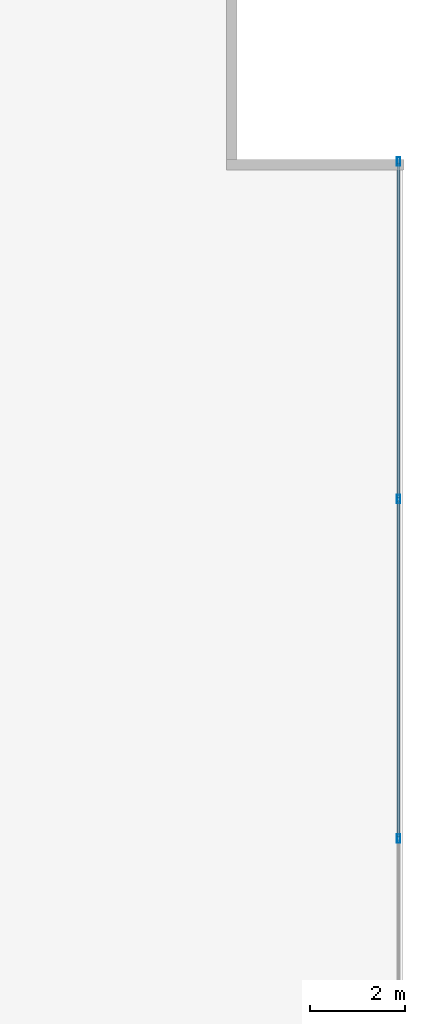
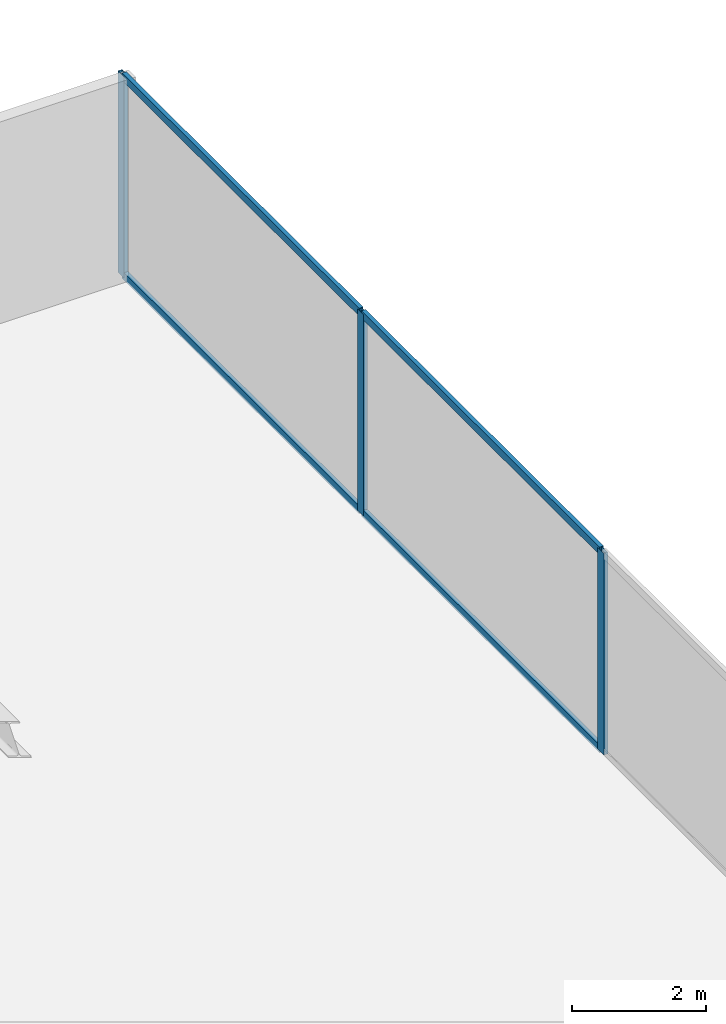
# One storey, part 22 of 28: 7 members, 1 element without a shape of its own.
"""IFC4 building model written with IfcOpenShell, lengths in metres."""

from ifc_helpers import new_model, si_unit, direction, frame, origin, origin_2d, place, context, subcontext, project, spatial, hollow_rectangle, extrude, source, transform, mapped, material, material_profile, profile_set, type_object, type_shapes, element, aggregate, save


model = new_model("IFC4")

# Units and contexts
model_context = context("Model", 3, precision=1e-05, world=origin(), true_north=direction((0.0, 1.0)))
body_context = subcontext(model_context, "Body", "Model", "MODEL_VIEW")
ifc_project = project(units=[si_unit("LENGTHUNIT", "METRE"), si_unit("AREAUNIT", "SQUARE_METRE"), si_unit("VOLUMEUNIT", "CUBIC_METRE"), si_unit("PLANEANGLEUNIT", "RADIAN"), si_unit("MASSUNIT", "GRAM", prefix="KILO")], contexts=[model_context])

# Site, building, storey
site_placement = place(None, origin())
site = spatial("IfcSite", under=ifc_project, at=site_placement, CompositionType="ELEMENT")
building_placement = place(site_placement, origin())
building = spatial("IfcBuilding", under=site, at=building_placement, Name="Krantzveldt Concourse Tower", CompositionType="ELEMENT")
storey_placement = place(building_placement, frame((0.0, 0.0, 28.949951171875)))
storey = spatial("IfcBuildingStorey", under=building, at=storey_placement, Name="L06", CompositionType="ELEMENT", Elevation=28.949951171875)

# Curtain wall, members
ifc_material = material(Name="Anodised aluminium 6063-T6", Category="aluminium")
curtain_wall_type = type_object("IfcCurtainWallType", Name="CW2", PredefinedType="USERDEFINED", material=ifc_material)
curtain_wall_placement = place(storey_placement, origin())
curtain_wall = element("IfcCurtainWall", 1, at=curtain_wall_placement, inside=storey, type_object=curtain_wall_type, Name="CW-L06-F07", ObjectType="UNITISED CURTAIN WALL", PredefinedType="USERDEFINED")
ifc_material_profile_1 = material_profile(ifc_material, hollow_rectangle(XDim=0.070068359375, YDim=0.139892578125, WallThickness=0.0048828125, at=origin_2d()), Name="Anodised aluminium 6063-T6", Category="aluminium")
ifc_profile_set_1 = profile_set([ifc_material_profile_1], Name="Anodised aluminium 6063-T6 - ALU-TRAN 140x70x5")
member_type_1 = type_object("IfcMemberType", Name="CW-TRN-150", PredefinedType="USERDEFINED", material=ifc_profile_set_1)
shared_shape_1 = source(origin(), body_context, "Body", "SweptSolid", [
    extrude(hollow_rectangle(XDim=0.070068359375, YDim=0.139892578125, WallThickness=0.0048828125, at=origin_2d()), origin(), (0.0, 0.0, 1.0), 7.0615234375),
])
member_1_placement = place(storey_placement, frame((60.909912109375, 41.068359375, 0.03515625), z_axis=(0.0, 1.0, 0.0), x_axis=(-1.0, 0.0, 0.0)))
member_1 = element("IfcMember", 2, at=member_1_placement, type_object=member_type_1, Name="CW-Z12 transom 6.1", ObjectType="TRANSOM", PredefinedType="USERDEFINED", context=body_context, shape_type="MappedRepresentation", body=[
    mapped(shared_shape_1, transform((0.0, 0.0, 0.0), x_axis=(1.0, 0.0, 0.0), y_axis=(0.0, 1.0, 0.0), z_axis=(0.0, 0.0, 1.0), scale=1.0)),
])
member_2_placement = place(storey_placement, frame((60.909912109375, 41.068359375, 3.635009765625), z_axis=(0.0, 1.0, 0.0), x_axis=(-1.0, 0.0, 0.0)))
member_2 = element("IfcMember", 3, at=member_2_placement, type_object=member_type_1, Name="CW-Z12 transom 6.2", ObjectType="TRANSOM", PredefinedType="USERDEFINED", context=body_context, shape_type="MappedRepresentation", body=[
    mapped(shared_shape_1, transform((0.0, 0.0, 0.0), x_axis=(1.0, 0.0, 0.0), y_axis=(0.0, 1.0, 0.0), z_axis=(0.0, 0.0, 1.0), scale=1.0)),
])
shared_shape_2 = source(origin(), body_context, "Body", "SweptSolid", [
    extrude(hollow_rectangle(XDim=0.070068359375, YDim=0.139892578125, WallThickness=0.0048828125, at=origin_2d()), origin(), (0.0, 0.0, 1.0), 7.0966796875),
])
type_shapes(member_type_1, [shared_shape_1, shared_shape_2])
member_3_placement = place(storey_placement, frame((60.909912109375, 33.901611328125, 0.03515625), z_axis=(0.0, 1.0, 0.0), x_axis=(-1.0, 0.0, 0.0)))
member_3 = element("IfcMember", 4, at=member_3_placement, type_object=member_type_1, Name="CW-Z12 transom 5.1", ObjectType="TRANSOM", PredefinedType="USERDEFINED", context=body_context, shape_type="MappedRepresentation", body=[
    mapped(shared_shape_2, transform((0.0, 0.0, 0.0), x_axis=(1.0, 0.0, 0.0), y_axis=(0.0, 1.0, 0.0), z_axis=(0.0, 0.0, 1.0), scale=1.0)),
])
member_4_placement = place(storey_placement, frame((60.909912109375, 33.901611328125, 3.635009765625), z_axis=(0.0, 1.0, 0.0), x_axis=(-1.0, 0.0, 0.0)))
member_4 = element("IfcMember", 5, at=member_4_placement, type_object=member_type_1, Name="CW-Z12 transom 5.2", ObjectType="TRANSOM", PredefinedType="USERDEFINED", context=body_context, shape_type="MappedRepresentation", body=[
    mapped(shared_shape_2, transform((0.0, 0.0, 0.0), x_axis=(1.0, 0.0, 0.0), y_axis=(0.0, 1.0, 0.0), z_axis=(0.0, 0.0, 1.0), scale=1.0)),
])
ifc_material_profile_2 = material_profile(ifc_material, hollow_rectangle(XDim=0.070068359375, YDim=0.179931640625, WallThickness=0.0048828125, at=origin_2d()), Name="Anodised aluminium 6063-T6", Category="aluminium")
ifc_profile_set_2 = profile_set([ifc_material_profile_2], Name="Anodised aluminium 6063-T6 - ALU-MULL 180x70x5")
member_type_2 = type_object("IfcMemberType", Name="CW-MUL-180", PredefinedType="MULLION", material=ifc_profile_set_2)
shared_shape_3 = source(origin(), body_context, "Body", "SweptSolid", [
    extrude(hollow_rectangle(XDim=0.070068359375, YDim=0.179931640625, WallThickness=0.0048828125, at=origin_2d()), origin(), (0.0, 0.0, 1.0), 3.670166015625),
])
type_shapes(member_type_2, [shared_shape_3])
member_5_placement = place(storey_placement, frame((60.909912109375, 33.86669921875, 0.0), z_axis=(0.0, 0.0, 1.0), x_axis=(-1.0, 0.0, 0.0)))
member_5 = element("IfcMember", 6, at=member_5_placement, type_object=member_type_2, Name="CW-Z12 mullion 5", PredefinedType="MULLION", context=body_context, shape_type="MappedRepresentation", body=[
    mapped(shared_shape_3, transform((0.0, 0.0, 0.0), x_axis=(1.0, 0.0, 0.0), y_axis=(0.0, 1.0, 0.0), z_axis=(0.0, 0.0, 1.0), scale=1.0)),
])
member_6_placement = place(storey_placement, frame((60.909912109375, 41.033447265625, 0.0), z_axis=(0.0, 0.0, 1.0), x_axis=(-1.0, 0.0, 0.0)))
member_6 = element("IfcMember", 7, at=member_6_placement, type_object=member_type_2, Name="CW-Z12 mullion 6", PredefinedType="MULLION", context=body_context, shape_type="MappedRepresentation", body=[
    mapped(shared_shape_3, transform((0.0, 0.0, 0.0), x_axis=(1.0, 0.0, 0.0), y_axis=(0.0, 1.0, 0.0), z_axis=(0.0, 0.0, 1.0), scale=1.0)),
])
member_7_placement = place(storey_placement, frame((60.909912109375, 48.1650390625, 0.0), z_axis=(0.0, 0.0, 1.0), x_axis=(-1.0, 0.0, 0.0)))
member_7 = element("IfcMember", 8, at=member_7_placement, type_object=member_type_2, Name="CW-Z12 mullion 7", PredefinedType="MULLION", context=body_context, shape_type="MappedRepresentation", body=[
    mapped(shared_shape_3, transform((0.0, 0.0, 0.0), x_axis=(1.0, 0.0, 0.0), y_axis=(0.0, 1.0, 0.0), z_axis=(0.0, 0.0, 1.0), scale=1.0)),
])
aggregate(curtain_wall, [member_5, member_6, member_7, member_3, member_4, member_1, member_2])

save(model, "model.ifc")
